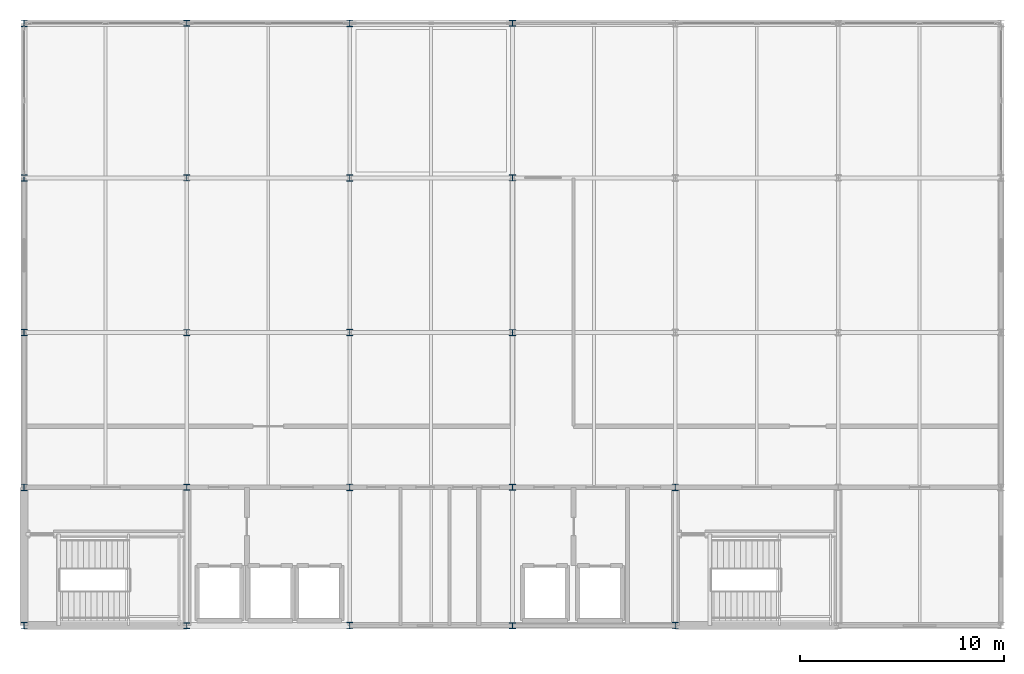
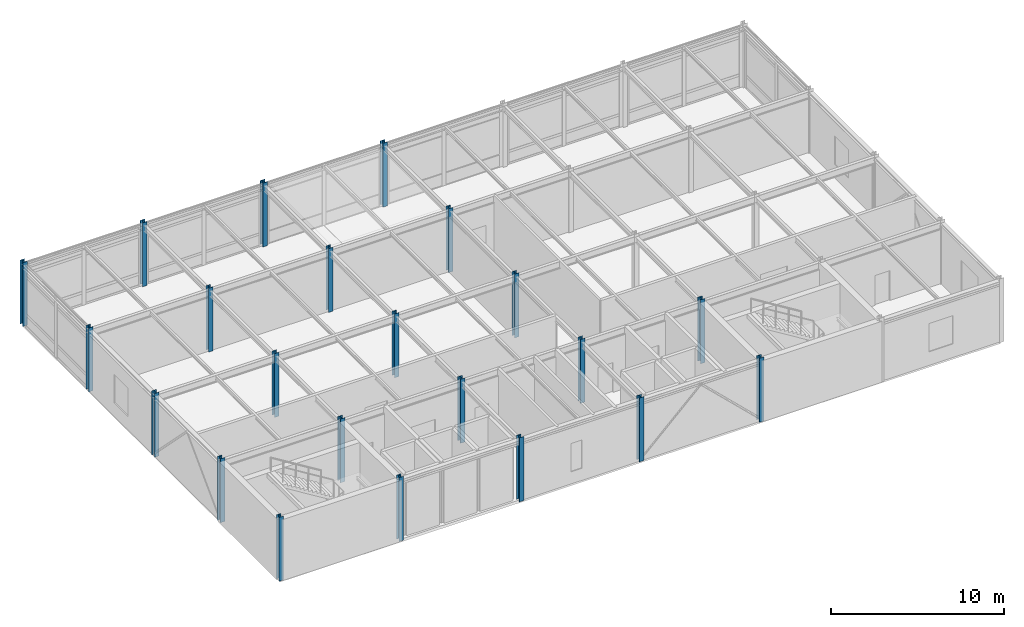
# One storey, part 1 of 12: 22 columns.
"""IFC4 building model written with IfcOpenShell, lengths in metres."""

from ifc_helpers import new_model, si_unit, direction, frame, origin, origin_2d, place, context, subcontext, project, spatial, i_section, extrude, material, material_profile, profile_set, type_object, element, save


model = new_model("IFC4")

# Units and contexts
model_context = context("Model", 3, precision=1e-05, world=origin(), true_north=direction((0.0, 1.0)))
body_context = subcontext(model_context, "Body", "Model", "MODEL_VIEW")
ifc_project = project(units=[si_unit("LENGTHUNIT", "METRE"), si_unit("AREAUNIT", "SQUARE_METRE"), si_unit("VOLUMEUNIT", "CUBIC_METRE"), si_unit("PLANEANGLEUNIT", "RADIAN"), si_unit("MASSUNIT", "GRAM", prefix="KILO")], contexts=[model_context])

# Site, building, storey
site_placement = place(None, origin())
site = spatial("IfcSite", under=ifc_project, at=site_placement, CompositionType="ELEMENT")
building_placement = place(site_placement, origin())
building = spatial("IfcBuilding", under=site, at=building_placement, Name="Shalkamar Park Central Library", CompositionType="ELEMENT")
storey_placement = place(building_placement, frame((0.0, 0.0, 67.800048828125)))
storey = spatial("IfcBuildingStorey", under=building, at=storey_placement, Name="L17", CompositionType="ELEMENT", Elevation=67.800048828125)

# Columns
ifc_material = material(Name="Steel S355", Category="steel")
ifc_material_profile_1 = material_profile(ifc_material, i_section(OverallWidth=0.300048828125, OverallDepth=0.300048828125, WebThickness=0.010986328125, FlangeThickness=0.01904296875, FilletRadius=0.027099609375, at=origin_2d()), Name="HEB 300")
ifc_profile_set_1 = profile_set([ifc_material_profile_1], Name="Steel S355")
column_type_1 = type_object("IfcColumnType", Name="Column Steel HEB300", PredefinedType="COLUMN", material=ifc_profile_set_1)
for number, where, z_axis, x_axis, name in (
    (1, (173.0, 248.39990234375, 0.0), (0.0, 0.0, 1.0), (1.0, 0.0, 0.0), "Column 08/B (L17)"),
    (2, (173.0, 255.199951171875, 0.0), (0.0, 0.0, 1.0), (1.0, 0.0, 0.0), "Column 08/C (L17)"),
    (3, (173.0, 262.800048828125, 0.0), (0.0, 0.0, 1.0), (1.0, 0.0, 0.0), "Column 08/D (L17)"),
    (4, (173.0, 270.39990234375, 0.0), (0.0, 0.0, 1.0), (1.0, 0.0, 0.0), "Column 08/E (L17)"),
    (5, (173.0, 278.0, 0.0), (0.0, 0.0, 1.0), (1.0, 0.0, 0.0), "Column 08/F (L17)"),
    (6, (189.0, 248.39990234375, 0.0), (0.0, 0.0, 1.0), (1.0, 0.0, 0.0), "Column 10/B (L17)"),
    (7, (189.0, 255.199951171875, 0.0), (0.0, 0.0, 1.0), (1.0, 0.0, 0.0), "Column 10/C (L17)"),
    (8, (189.0, 262.800048828125, 0.0), (0.0, 0.0, 1.0), (1.0, 0.0, 0.0), "Column 10/D (L17)"),
    (9, (189.0, 270.39990234375, 0.0), (0.0, 0.0, 1.0), (1.0, 0.0, 0.0), "Column 10/E (L17)"),
    (10, (189.0, 278.0, 0.0), (0.0, 0.0, 1.0), (1.0, 0.0, 0.0), "Column 10/F (L17)"),
):
    element("IfcColumn", number, at=place(storey_placement, frame(where, z_axis=z_axis, x_axis=x_axis)), inside=storey, type_object=column_type_1, Name=name, PredefinedType="COLUMN", context=body_context, shape_type="SweptSolid", body=[
        extrude(i_section(OverallWidth=0.300048828125, OverallDepth=0.300048828125, WebThickness=0.010986328125, FlangeThickness=0.01904296875, FilletRadius=0.027099609375, at=origin_2d()), origin(), (0.0, 0.0, 1.0), 4.5),
    ])
ifc_material_profile_2 = material_profile(ifc_material, i_section(OverallWidth=0.300048828125, OverallDepth=0.320068359375, WebThickness=0.011474609375, FlangeThickness=0.0205078125, FilletRadius=0.027099609375, at=origin_2d()), Name="HEB 320")
ifc_profile_set_2 = profile_set([ifc_material_profile_2], Name="Steel S355")
column_type_2 = type_object("IfcColumnType", Name="Column Steel HEB320", PredefinedType="COLUMN", material=ifc_profile_set_2)
for number, where, z_axis, x_axis, name in (
    (11, (165.0, 248.39990234375, 0.0), (0.0, 0.0, 1.0), (1.0, 0.0, 0.0), "Column 07/B (L17)"),
    (12, (165.0, 255.199951171875, 0.0), (0.0, 0.0, 1.0), (1.0, 0.0, 0.0), "Column 07/C (L17)"),
    (13, (165.0, 262.800048828125, 0.0), (0.0, 0.0, 1.0), (1.0, 0.0, 0.0), "Column 07/D (L17)"),
    (14, (165.0, 270.39990234375, 0.0), (0.0, 0.0, 1.0), (1.0, 0.0, 0.0), "Column 07/E (L17)"),
    (15, (165.0, 278.0, 0.0), (0.0, 0.0, 1.0), (1.0, 0.0, 0.0), "Column 07/F (L17)"),
    (16, (181.0, 248.39990234375, 0.0), (0.0, 0.0, 1.0), (1.0, 0.0, 0.0), "Column 09/B (L17)"),
    (17, (181.0, 255.199951171875, 0.0), (0.0, 0.0, 1.0), (1.0, 0.0, 0.0), "Column 09/C (L17)"),
    (18, (181.0, 262.800048828125, 0.0), (0.0, 0.0, 1.0), (1.0, 0.0, 0.0), "Column 09/D (L17)"),
    (19, (181.0, 270.39990234375, 0.0), (0.0, 0.0, 1.0), (1.0, 0.0, 0.0), "Column 09/E (L17)"),
    (20, (181.0, 278.0, 0.0), (0.0, 0.0, 1.0), (1.0, 0.0, 0.0), "Column 09/F (L17)"),
    (21, (197.0, 248.39990234375, 0.0), (0.0, 0.0, 1.0), (1.0, 0.0, 0.0), "Column 11/B (L17)"),
    (22, (197.0, 255.199951171875, 0.0), (0.0, 0.0, 1.0), (1.0, 0.0, 0.0), "Column 11/C (L17)"),
):
    element("IfcColumn", number, at=place(storey_placement, frame(where, z_axis=z_axis, x_axis=x_axis)), inside=storey, type_object=column_type_2, Name=name, PredefinedType="COLUMN", context=body_context, shape_type="SweptSolid", body=[
        extrude(i_section(OverallWidth=0.300048828125, OverallDepth=0.320068359375, WebThickness=0.011474609375, FlangeThickness=0.0205078125, FilletRadius=0.027099609375, at=origin_2d()), origin(), (0.0, 0.0, 1.0), 4.5),
    ])

save(model, "model.ifc")
